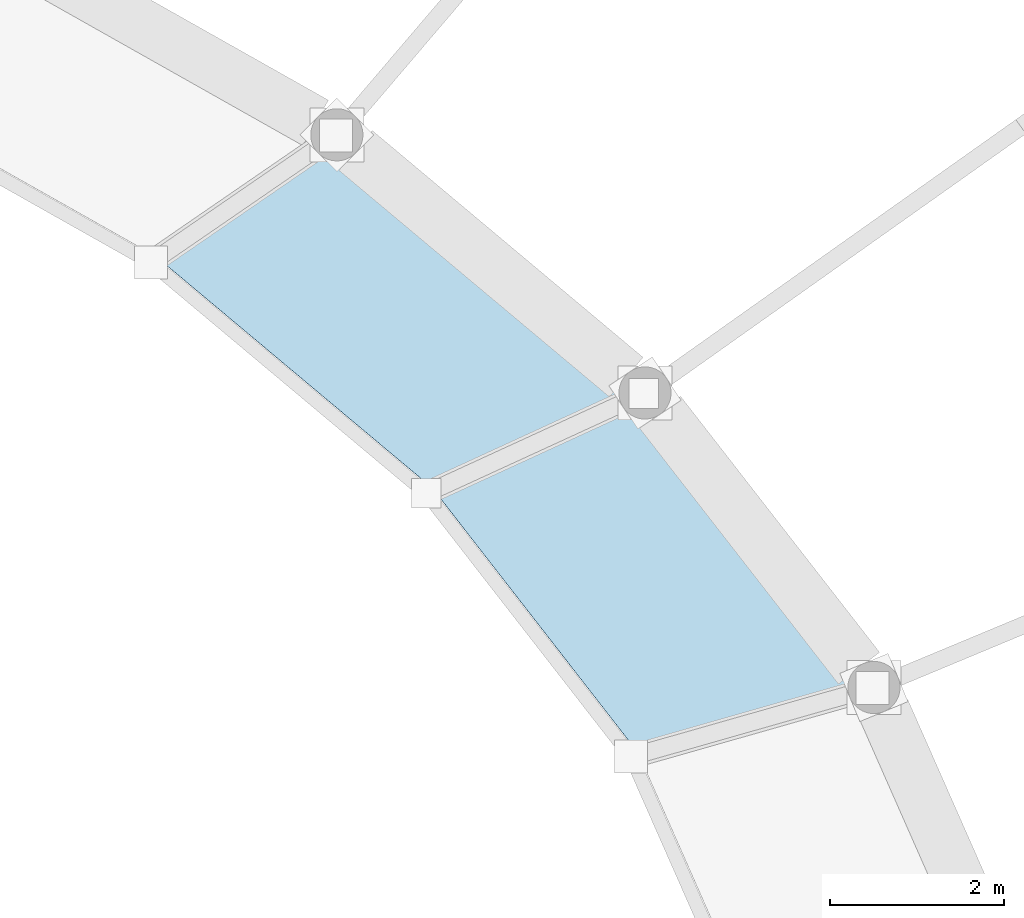
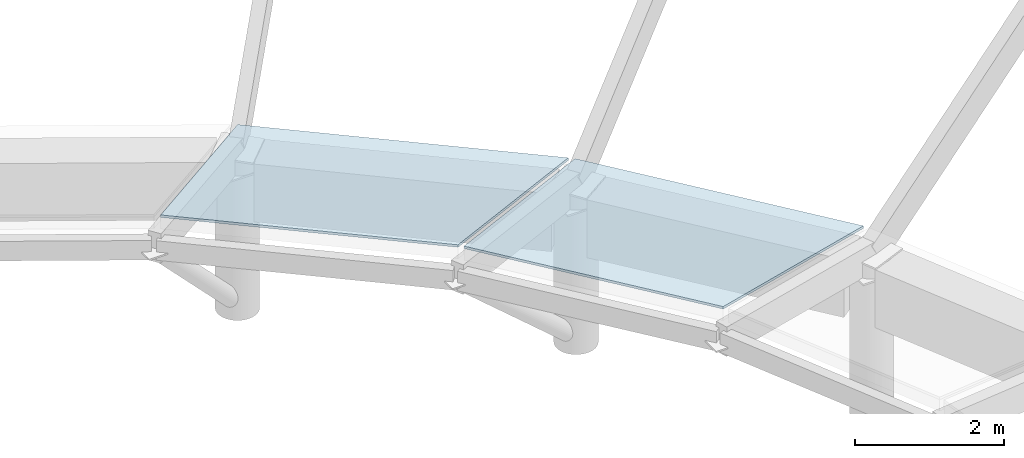
# One storey, part 27 of 37: 2 roofs.
"""IFC4 building model written with IfcOpenShell, lengths in metres."""

import ifcopenshell
import ifcopenshell.guid

model = None  # the IFC model being written
_history = None  # IfcOwnerHistory: only IFC2X3 demands one
_inside = {}  # id of a spatial element -> (the spatial element, [elements in it])
_under = {}  # id of a project, library or spatial element -> (it, [spatial elements below it])
_declared = {}  # id of a project -> (the project, [libraries it declares])
_typed = {}  # id of a type object -> (the type object, [elements of that type])
_made_of = {}  # id of a material, layer set ... -> (it, [elements and type objects made of it])


def new_model(schema):
    """Start an empty IFC model of exactly this schema.

    Asked for "IFC4X3", IfcOpenShell would pick the latest addendum, in which some entities
    have other attributes; the version numbers below select the first issue.
    IFC2X3 requires an IfcOwnerHistory on every rooted entity: one is made here for all.
    """
    global model, _history
    if schema == "IFC4X3":
        model = ifcopenshell.file(schema_version=(4, 3, 0, 0))
    else:
        model = ifcopenshell.file(schema=schema)
    _inside.clear()
    _under.clear()
    _declared.clear()
    _typed.clear()
    _made_of.clear()
    _history = None
    if model.schema == "IFC2X3":
        org = make("IfcOrganization", Name="unknown")
        user = make(
            "IfcPersonAndOrganization",
            ThePerson=make("IfcPerson", FamilyName="unknown"),
            TheOrganization=org,
        )
        app = make(
            "IfcApplication",
            ApplicationDeveloper=org,
            Version="unknown",
            ApplicationFullName="unknown",
            ApplicationIdentifier="unknown",
        )
        _history = make(
            "IfcOwnerHistory",
            OwningUser=user,
            OwningApplication=app,
            ChangeAction="ADDED",
            CreationDate=0,
        )
    return model


def make(cls, **values):
    """One entity of the class cls with the attributes given. An attribute that is None is left unset."""
    return model.create_entity(
        cls, **{name: value for name, value in values.items() if value is not None}
    )


def rooted(cls, **values):
    """An entity with a GlobalId (a new one), such as an element, a storey or a relation."""
    return make(cls, GlobalId=ifcopenshell.guid.new(), OwnerHistory=_history, **values)


def si_unit(unit_type, name, prefix=None):
    """IfcSIUnit, for example si_unit("LENGTHUNIT", "METRE", prefix="MILLI")."""
    return make("IfcSIUnit", UnitType=unit_type, Prefix=prefix, Name=name)


def assignment(units):
    """IfcUnitAssignment: the units of a project."""
    return None if units is None else make("IfcUnitAssignment", Units=units)


def point(xyz):
    """IfcCartesianPoint."""
    return None if xyz is None else make("IfcCartesianPoint", Coordinates=xyz)


def direction(xyz):
    """IfcDirection."""
    return None if xyz is None else make("IfcDirection", DirectionRatios=xyz)


def frame(location, z_axis=None, x_axis=None):
    """IfcAxis2Placement3D, a coordinate frame: its origin and axes. An axis left out is left unset."""
    return make(
        "IfcAxis2Placement3D",
        Location=point(location),
        Axis=direction(z_axis),
        RefDirection=direction(x_axis),
    )


def origin():
    """The frame at (0, 0, 0) with its axes left unset."""
    return frame((0.0, 0.0, 0.0))


def place(relative_to, where):
    """IfcLocalPlacement: puts the frame where relative to a parent placement (None: the world)."""
    return make(
        "IfcLocalPlacement", PlacementRelTo=relative_to, RelativePlacement=where
    )


def context(
    kind, dimensions, precision=None, world=None, true_north=None, identifier=None
):
    """IfcGeometricRepresentationContext, for example the 3D "Model" context."""
    return make(
        "IfcGeometricRepresentationContext",
        ContextIdentifier=identifier,
        ContextType=kind,
        CoordinateSpaceDimension=dimensions,
        Precision=precision,
        WorldCoordinateSystem=world,
        TrueNorth=true_north,
    )


def subcontext(parent, identifier, kind, view, scale=None):
    """IfcGeometricRepresentationSubContext, for example "Body" below "Model"."""
    return make(
        "IfcGeometricRepresentationSubContext",
        ContextIdentifier=identifier,
        ContextType=kind,
        ParentContext=parent,
        TargetScale=scale,
        TargetView=view,
    )


def project(units=None, contexts=None):
    """IfcProject with its units and contexts."""
    return rooted(
        "IfcProject",
        Name="project",
        RepresentationContexts=contexts,
        UnitsInContext=assignment(units),
    )


def spatial(cls, under=None, at=None, **own):
    """A site, building, storey or space (cls), placed at a placement, below another one or the project."""
    s = rooted(cls, ObjectPlacement=at, **own)
    if under is not None:
        _under.setdefault(under.id(), (under, []))[1].append(s)
    return s


def polyline(points):
    """IfcPolyline through the points."""
    return make("IfcPolyline", Points=[point(p) for p in points])


def outline(outer, holes=None, kind="AREA"):
    """IfcArbitraryClosedProfileDef: a profile drawn as a closed curve; with holes, ...WithVoids."""
    if holes is None:
        return make("IfcArbitraryClosedProfileDef", ProfileType=kind, OuterCurve=outer)
    return make(
        "IfcArbitraryProfileDefWithVoids",
        ProfileType=kind,
        OuterCurve=outer,
        InnerCurves=holes,
    )


def extrude(swept, where, along, depth):
    """IfcExtrudedAreaSolid: the profile swept, set in the frame where, extruded along a direction by depth."""
    return make(
        "IfcExtrudedAreaSolid",
        SweptArea=swept,
        Position=where,
        ExtrudedDirection=direction(along),
        Depth=depth,
    )


def shape(context_of_items, identifier, shape_type, items):
    """IfcShapeRepresentation: the items that make up one representation, for example the "Body"."""
    return make(
        "IfcShapeRepresentation",
        ContextOfItems=context_of_items,
        RepresentationIdentifier=identifier,
        RepresentationType=shape_type,
        Items=items,
    )


def material(Name=None, Category=None):
    """IfcMaterial."""
    return make("IfcMaterial", Name=Name, Category=Category)


def layer(
    of_material, thickness, ventilated=None, Name=None, Category=None, Priority=None
):
    """IfcMaterialLayer: one layer of a wall or slab, of a material (None: an air gap)."""
    return make(
        "IfcMaterialLayer",
        Material=of_material,
        LayerThickness=thickness,
        IsVentilated=ventilated,
        Name=Name,
        Category=Category,
        Priority=Priority,
    )


def layer_set(layers, Name=None):
    """IfcMaterialLayerSet."""
    return make("IfcMaterialLayerSet", MaterialLayers=layers, LayerSetName=Name)


def made_of(thing, what):
    """Note that an element or type object is made of a material, layer set ...; save() writes the relation."""
    if what is not None:
        _made_of.setdefault(what.id(), (what, []))[1].append(thing)
    return thing


def type_object(cls, material=None, **own):
    """A type object (cls), such as IfcWallType, which elements share."""
    return made_of(rooted(cls, **own), material)


def element(
    cls,
    number,
    at=None,
    inside=None,
    cuts=None,
    type_object=None,
    material=None,
    context=None,
    identifier="Body",
    shape_type=None,
    held_by="IfcProductDefinitionShape",
    body=None,
    shapes=None,
    **own,
):
    """One element of the class cls, such as IfcWall. Its Tag is "e" and its number.

    at: its placement. inside: the storey or other place that contains it. cuts: it is an
    opening in that element (IfcRelVoidsElement). A single representation is given by context,
    identifier, shape_type and body (its items); several are given by shapes. held_by: the class
    of the entity that holds the representations. save() writes the other relations.
    """
    e = rooted(cls, Tag="e%d" % number, ObjectPlacement=at, **own)
    if body is not None:
        shapes = [shape(context, identifier, shape_type, body)]
    if shapes is not None:
        e.Representation = make(held_by, Representations=shapes)
    if inside is not None:
        _inside.setdefault(inside.id(), (inside, []))[1].append(e)
    if cuts is not None:
        rooted(
            "IfcRelVoidsElement", RelatingBuildingElement=cuts, RelatedOpeningElement=e
        )
    if type_object is not None:
        _typed.setdefault(type_object.id(), (type_object, []))[1].append(e)
    return made_of(e, material)


def aggregate(whole, parts):
    """IfcRelAggregates: a whole, such as a stair, and the parts it consists of."""
    return rooted("IfcRelAggregates", RelatingObject=whole, RelatedObjects=parts)


def save(model, path):
    """Write the relations noted so far, then the file.

    IfcRelAggregates (storeys below a building ...), IfcRelContainedInSpatialStructure (elements
    in a storey), IfcRelDefinesByType, IfcRelAssociatesMaterial and IfcRelDeclares: one each for
    every whole, place, type object, material and project.
    """
    for whole, parts in _under.values():
        aggregate(whole, parts)
    for where, things in _inside.values():
        rooted(
            "IfcRelContainedInSpatialStructure",
            RelatedElements=things,
            RelatingStructure=where,
        )
    for kind, things in _typed.values():
        rooted("IfcRelDefinesByType", RelatedObjects=things, RelatingType=kind)
    for what, things in _made_of.values():
        rooted("IfcRelAssociatesMaterial", RelatedObjects=things, RelatingMaterial=what)
    for by, libraries in _declared.values():
        rooted("IfcRelDeclares", RelatingContext=by, RelatedDefinitions=libraries)
    model.write(path)


model = new_model("IFC4")

# Units and contexts
model_context = context("Model", 3, precision=1e-05, world=origin(), true_north=direction((0.0, 1.0)))
body_context = subcontext(model_context, "Body", "Model", "MODEL_VIEW")
ifc_project = project(units=[si_unit("LENGTHUNIT", "METRE"), si_unit("AREAUNIT", "SQUARE_METRE"), si_unit("VOLUMEUNIT", "CUBIC_METRE"), si_unit("PLANEANGLEUNIT", "RADIAN"), si_unit("MASSUNIT", "GRAM", prefix="KILO")], contexts=[model_context])

# Site, building, storey
site_placement = place(None, origin())
site = spatial("IfcSite", under=ifc_project, at=site_placement, CompositionType="ELEMENT")
building_placement = place(site_placement, origin())
building = spatial("IfcBuilding", under=site, at=building_placement, Name="Namkhue Oval Health Centre", CompositionType="ELEMENT")
storey_placement = place(building_placement, frame((0.0, 0.0, 22.199951171875)))
storey = spatial("IfcBuildingStorey", under=building, at=storey_placement, Name="L05", CompositionType="ELEMENT", Elevation=22.199951171875)

# Roofs
ifc_material = material(Name="Glulam timber GL28h", Category="wood")
ifc_layer = layer(ifc_material, 0.0400390625)
ifc_layer_set = layer_set([ifc_layer], Name="Glulam timber GL28h")
roof_type = type_object("IfcRoofType", Name="ELLIPTICAL GRIDSHELL ROOF ASSEMBLY", PredefinedType="FREEFORM", material=ifc_layer_set)
roof_1_placement = place(storey_placement, frame((127.0205078125, 66.91064453125, 3.073486328125), z_axis=(0.01165225268, 0.009058835838, 0.999891075318), x_axis=(-0.613795334517, 0.789465190699, 4.6282e-07)))
element("IfcRoof", 1, at=roof_1_placement, inside=storey, type_object=roof_type, Name="Elliptical Gridshell Oculus Collar Sector 3", PredefinedType="FREEFORM", context=body_context, shape_type="SweptSolid", body=[
    extrude(outline(polyline([(0.0, 0.0), (4.1887657899932975, 0.0), (4.778240320913582, 2.51415145851285), (1.013956869519596, 2.5144008485401073), (0.0, 0.0)])), origin(), (0.0, 0.0, -1.0), 0.0400390625),
])
roof_2_placement = place(storey_placement, frame((124.380615234375, 70.278564453125, 3.073486328125), z_axis=(0.010270193095, 0.012260247792, 0.999872096549), x_axis=(-0.766566498173, 0.642164935105, -3.15312e-07)))
element("IfcRoof", 2, at=roof_2_placement, inside=storey, type_object=roof_type, Name="Elliptical Gridshell Oculus Collar Sector 4", PredefinedType="FREEFORM", context=body_context, shape_type="SweptSolid", body=[
    extrude(outline(polyline([(0.0, 0.0), (4.517722583115056, 4.440892098500626e-16), (5.162799436596101, 2.3203871397691684), (1.1003349389657278, 2.320217980953424), (0.0, 0.0)])), origin(), (0.0, 0.0, -1.0), 0.0400390625),
])

save(model, "model.ifc")
